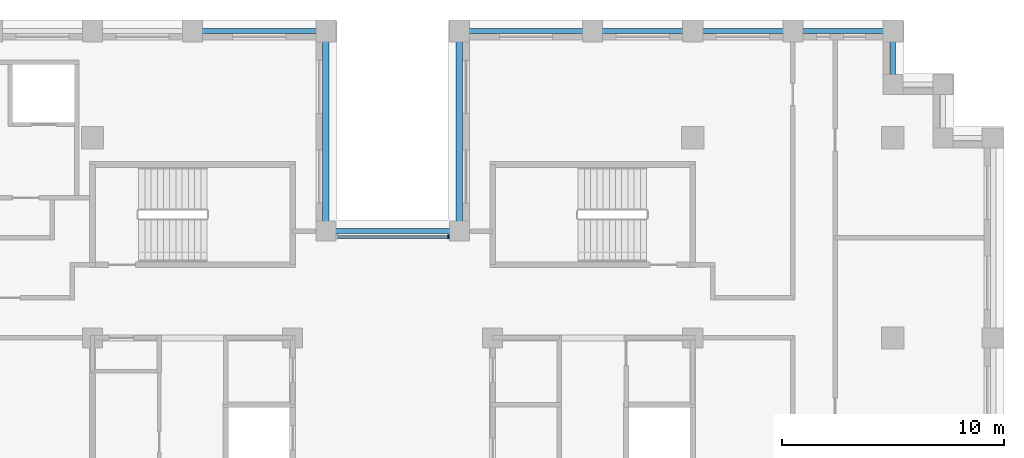
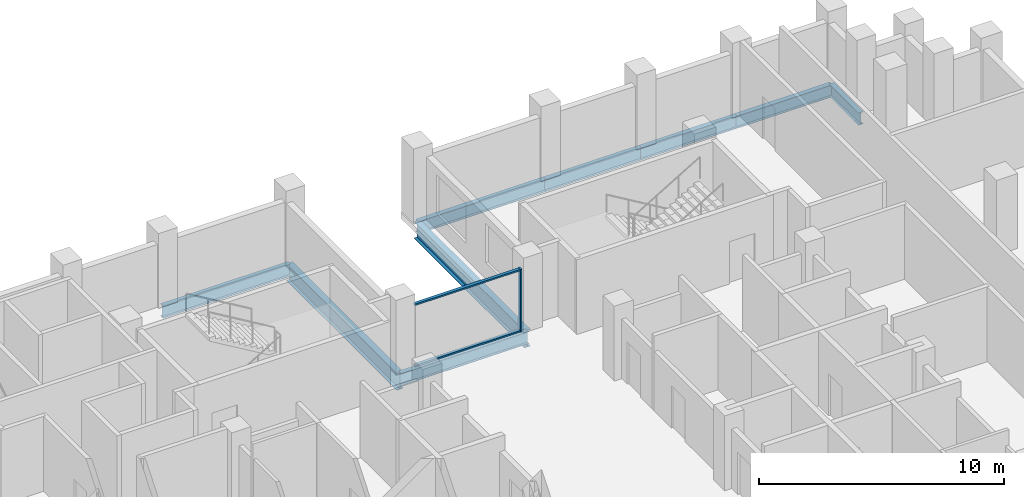
# One storey, part 4 of 15: 9 beams, 3 members, 1 element without a shape of its own.
"""IFC4 building model written with IfcOpenShell, lengths in metres."""

from ifc_helpers import new_model, si_unit, direction, frame, origin, origin_2d, place, context, subcontext, project, spatial, rectangle, i_section, extrude, material, layer, layer_set, material_profile, profile_set, type_object, element, aggregate, save


model = new_model("IFC4")

# Units and contexts
model_context = context("Model", 3, precision=1e-05, world=origin(), true_north=direction((0.0, 1.0)))
body_context = subcontext(model_context, "Body", "Model", "MODEL_VIEW")
ifc_project = project(units=[si_unit("LENGTHUNIT", "METRE"), si_unit("AREAUNIT", "SQUARE_METRE"), si_unit("VOLUMEUNIT", "CUBIC_METRE"), si_unit("PLANEANGLEUNIT", "RADIAN"), si_unit("MASSUNIT", "GRAM", prefix="KILO")], contexts=[model_context])

# Site, building, storey
site_placement = place(None, origin())
site = spatial("IfcSite", under=ifc_project, at=site_placement, CompositionType="ELEMENT")
building_placement = place(site_placement, origin())
building = spatial("IfcBuilding", under=site, at=building_placement, Name="Corbelhall Arena Tower", CompositionType="ELEMENT")
storey_placement = place(building_placement, frame((0.0, 0.0, 220.0)))
storey = spatial("IfcBuildingStorey", under=building, at=storey_placement, Name="L46", CompositionType="ELEMENT", Elevation=220.0)

# Curtain wall, members
ifc_material_1 = material(Name="Aluminium black anodised", Category="aluminium")
ifc_layer = layer(ifc_material_1, 0.199951171875)
ifc_layer_set = layer_set([ifc_layer], Name="EV-CW1 Slot back wall")
curtain_wall_type = type_object("IfcCurtainWallType", Name="EV-CW1 Slot back wall", PredefinedType="NOTDEFINED", material=ifc_layer_set)
curtain_wall_placement = place(storey_placement, origin())
curtain_wall = element("IfcCurtainWall", 1, at=curtain_wall_placement, inside=storey, type_object=curtain_wall_type, Name="Curtain wall CW1", PredefinedType="NOTDEFINED")
ifc_material_profile_1 = material_profile(ifc_material_1, rectangle(XDim=0.199951171875, YDim=0.074951171875, at=origin_2d()))
ifc_profile_set_1 = profile_set([ifc_material_profile_1], Name="Aluminium black anodised")
member_type_1 = type_object("IfcMemberType", Name="EV-CW1-MULLION", PredefinedType="MULLION", material=ifc_profile_set_1)
member_1_placement = place(storey_placement, frame((2.512451171875, 13.550048828125, 0.0), z_axis=(0.0, 0.0, 1.0), x_axis=(0.0, -1.0, 0.0)))
member_1 = element("IfcMember", 2, at=member_1_placement, type_object=member_type_1, Name="CW1 mullion 1", PredefinedType="MULLION", context=body_context, shape_type="SweptSolid", body=[
    extrude(rectangle(XDim=0.199951171875, YDim=0.074951171875, at=origin_2d()), origin(), (0.0, 0.0, 1.0), 3.1201171875),
])
ifc_material_profile_2 = material_profile(ifc_material_1, rectangle(XDim=0.14990234375, YDim=0.074951171875, at=origin_2d()))
ifc_profile_set_2 = profile_set([ifc_material_profile_2], Name="Aluminium black anodised")
member_type_2 = type_object("IfcMemberType", Name="EV-CW1-TRANSOM", PredefinedType="USERDEFINED", material=ifc_profile_set_2)
member_2_placement = place(storey_placement, frame((2.47509765625, 13.550048828125, 0.03759765625), z_axis=(-1.0, 0.0, 0.0), x_axis=(0.0, -1.0, 0.0)))
member_2 = element("IfcMember", 3, at=member_2_placement, type_object=member_type_2, Name="CW1 transom 1.1", ObjectType="transom", PredefinedType="USERDEFINED", context=body_context, shape_type="SweptSolid", body=[
    extrude(rectangle(XDim=0.14990234375, YDim=0.074951171875, at=origin_2d()), origin(), (0.0, 0.0, 1.0), 4.9501953125),
])
member_3_placement = place(storey_placement, frame((2.47509765625, 13.550048828125, 3.08251953125), z_axis=(-1.0, 0.0, 0.0), x_axis=(0.0, -1.0, 0.0)))
member_3 = element("IfcMember", 4, at=member_3_placement, type_object=member_type_2, Name="CW1 transom 1.2", ObjectType="transom", PredefinedType="USERDEFINED", context=body_context, shape_type="SweptSolid", body=[
    extrude(rectangle(XDim=0.14990234375, YDim=0.074951171875, at=origin_2d()), origin(), (0.0, 0.0, 1.0), 4.9501953125),
])
aggregate(curtain_wall, [member_1, member_2, member_3])

# Beams
ifc_material_2 = material(Name="Steel ASTM A992 Gr50", Category="steel")
ifc_material_profile_3 = material_profile(ifc_material_2, i_section(OverallWidth=0.228271484375, OverallDepth=0.607177734375, WebThickness=0.01123046875, FlangeThickness=0.017333984375, at=origin_2d()))
ifc_profile_set_3 = profile_set([ifc_material_profile_3], Name="Steel ASTM A992 Gr50")
beam_type_1 = type_object("IfcBeamType", Name="ST-SPANDREL-W24x76", PredefinedType="SPANDREL", material=ifc_profile_set_3)
beam_1_placement = place(storey_placement, frame((3.0, 22.800048828125, -0.58349609375), z_axis=(1.0, 0.0, 0.0), x_axis=(0.0, 1.0, 0.0)))
element("IfcBeam", 5, at=beam_1_placement, inside=storey, type_object=beam_type_1, Name="Beam SP 13", PredefinedType="SPANDREL", context=body_context, shape_type="SweptSolid", body=[
    extrude(i_section(OverallWidth=0.228271484375, OverallDepth=0.607177734375, WebThickness=0.01123046875, FlangeThickness=0.017333984375, at=origin_2d()), origin(), (0.0, 0.0, 1.0), 6.0),
])
for number, where, z_axis, x_axis, name in (
    (6, (9.0, 22.800048828125, -0.58349609375), (1.0, 0.0, 0.0), (0.0, 1.0, 0.0), "Beam SP 14"),
    (7, (13.5, 22.800048828125, -0.58349609375), (1.0, 0.0, 0.0), (0.0, 1.0, 0.0), "Beam SP 15"),
    (8, (18.0, 22.800048828125, -0.58349609375), (1.0, 0.0, 0.0), (0.0, 1.0, 0.0), "Beam SP 16"),
):
    element("IfcBeam", number, at=place(storey_placement, frame(where, z_axis=z_axis, x_axis=x_axis)), inside=storey, type_object=beam_type_1, Name=name, PredefinedType="SPANDREL", context=body_context, shape_type="SweptSolid", body=[
        extrude(i_section(OverallWidth=0.228271484375, OverallDepth=0.607177734375, WebThickness=0.01123046875, FlangeThickness=0.017333984375, at=origin_2d()), origin(), (0.0, 0.0, 1.0), 4.5),
    ])
beam_2_placement = place(storey_placement, frame((22.5, 22.800048828125, -0.58349609375), z_axis=(0.0, -1.0, 0.0), x_axis=(1.0, 0.0, 0.0)))
element("IfcBeam", 9, at=beam_2_placement, inside=storey, type_object=beam_type_1, Name="Beam SP 17", PredefinedType="SPANDREL", context=body_context, shape_type="SweptSolid", body=[
    extrude(i_section(OverallWidth=0.228271484375, OverallDepth=0.607177734375, WebThickness=0.01123046875, FlangeThickness=0.017333984375, at=origin_2d()), origin(), (0.0, 0.0, 1.0), 2.400146484375),
])
for number, where, z_axis, x_axis, name in (
    (10, (-9.0, 22.800048828125, -0.58349609375), (1.0, 0.0, 0.0), (0.0, 1.0, 0.0), "Beam SP 19"),
    (11, (-3.0, 13.800048828125, -0.58349609375), (1.0, 0.0, 0.0), (0.0, 1.0, 0.0), "Beam SP 36"),
):
    element("IfcBeam", number, at=place(storey_placement, frame(where, z_axis=z_axis, x_axis=x_axis)), inside=storey, type_object=beam_type_1, Name=name, PredefinedType="SPANDREL", context=body_context, shape_type="SweptSolid", body=[
        extrude(i_section(OverallWidth=0.228271484375, OverallDepth=0.607177734375, WebThickness=0.01123046875, FlangeThickness=0.017333984375, at=origin_2d()), origin(), (0.0, 0.0, 1.0), 6.0),
    ])
ifc_material_profile_4 = material_profile(ifc_material_2, i_section(OverallWidth=0.2919921875, OverallDepth=0.845703125, WebThickness=0.015380859375, FlangeThickness=0.0244140625, at=origin_2d()))
ifc_profile_set_4 = profile_set([ifc_material_profile_4], Name="Steel ASTM A992 Gr50")
beam_type_2 = type_object("IfcBeamType", Name="ST-SPANDREL-W33x141", PredefinedType="SPANDREL", material=ifc_profile_set_4)
for number, where, z_axis, x_axis, name in (
    (12, (-3.0, 22.800048828125, -0.702880859375), (0.0, -1.0, 0.0), (1.0, 0.0, 0.0), "Beam SP 18"),
    (13, (3.0, 13.800048828125, -0.702880859375), (0.0, 1.0, 0.0), (-1.0, 0.0, 0.0), "Beam SP 35"),
):
    element("IfcBeam", number, at=place(storey_placement, frame(where, z_axis=z_axis, x_axis=x_axis)), inside=storey, type_object=beam_type_2, Name=name, PredefinedType="SPANDREL", context=body_context, shape_type="SweptSolid", body=[
        extrude(i_section(OverallWidth=0.2919921875, OverallDepth=0.845703125, WebThickness=0.015380859375, FlangeThickness=0.0244140625, at=origin_2d()), origin(), (0.0, 0.0, 1.0), 9.0),
    ])

save(model, "model.ifc")
